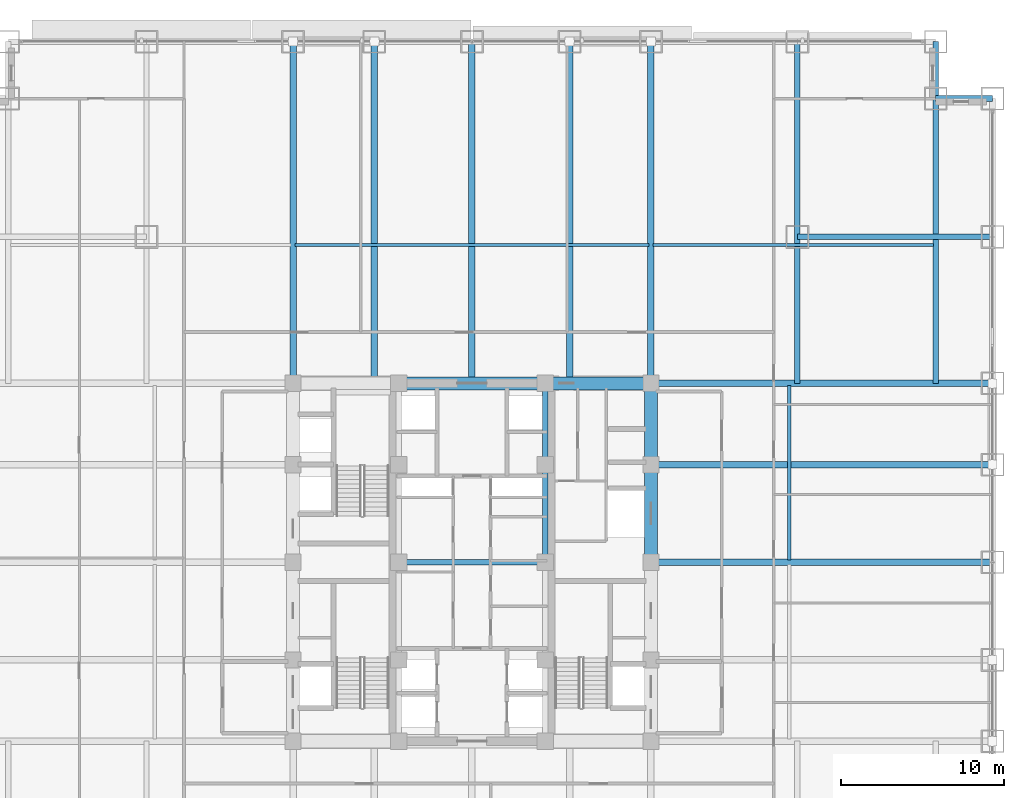
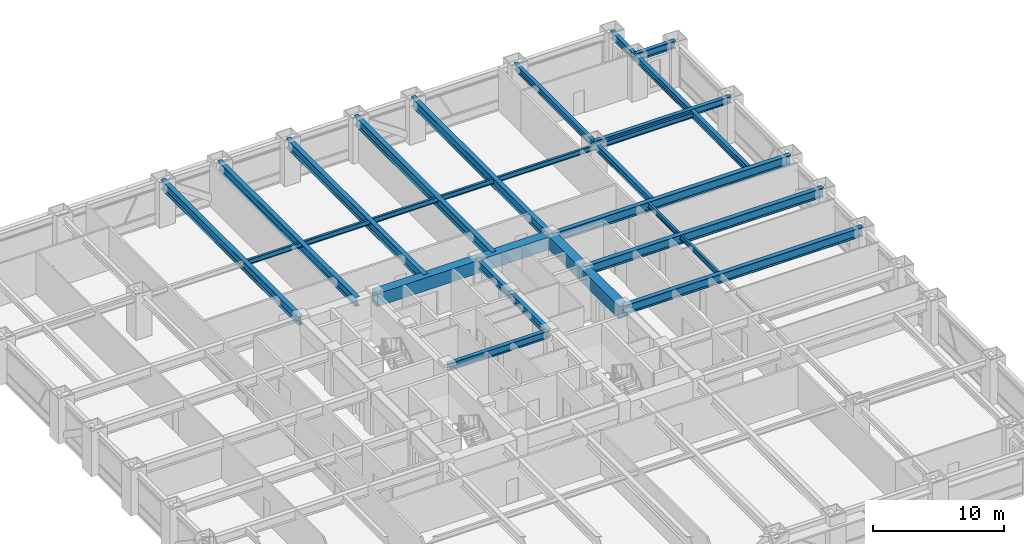
# One storey, part 11 of 32: 23 beams.
"""IFC4 building model written with IfcOpenShell, lengths in metres."""

from ifc_helpers import new_model, si_unit, direction, frame, origin, origin_2d, place, context, subcontext, project, spatial, rectangle, i_section, extrude, source, transform, mapped, material, material_profile, profile_set, type_object, element, save


model = new_model("IFC4")

# Units and contexts
model_context = context("Model", 3, precision=1e-05, world=origin(), true_north=direction((0.0, 1.0)))
body_context = subcontext(model_context, "Body", "Model", "MODEL_VIEW")
ifc_project = project(units=[si_unit("LENGTHUNIT", "METRE"), si_unit("AREAUNIT", "SQUARE_METRE"), si_unit("VOLUMEUNIT", "CUBIC_METRE"), si_unit("PLANEANGLEUNIT", "RADIAN"), si_unit("MASSUNIT", "GRAM", prefix="KILO")], contexts=[model_context])

# Site, building, storey
site_placement = place(None, origin())
site = spatial("IfcSite", under=ifc_project, at=site_placement, CompositionType="ELEMENT")
building_placement = place(site_placement, origin())
building = spatial("IfcBuilding", under=site, at=building_placement, Name="Khorayat Bourse Tower", CompositionType="ELEMENT")
storey_placement = place(building_placement, frame((0.0, 0.0, 70.39990234375)))
storey = spatial("IfcBuildingStorey", under=building, at=storey_placement, Name="L15", CompositionType="ELEMENT", Elevation=70.39990234375)

# Beams
ifc_material_1 = material(Name="Concrete C72/90", Category="concrete")
ifc_material_profile_1 = material_profile(ifc_material_1, rectangle(XDim=0.800048828125, YDim=1.199951171875, at=origin_2d()), Name="RC 800x1200")
ifc_profile_set_1 = profile_set([ifc_material_profile_1], Name="Concrete C72/90")
beam_type_1 = type_object("IfcBeamType", Name="BM-COUP-1200", PredefinedType="BEAM", material=ifc_profile_set_1)
shared_shape_1 = source(origin(), body_context, "Body", "SweptSolid", [
    extrude(rectangle(XDim=0.800048828125, YDim=1.199951171875, at=origin_2d()), origin(), (0.0, 0.0, 1.0), 5.0),
])
beam_1_placement = place(storey_placement, frame((11.0, 6.0, 3.340087890625), z_axis=(0.0, 1.0, 0.0), x_axis=(-1.0, 0.0, 0.0)))
element("IfcBeam", 1, at=beam_1_placement, inside=storey, type_object=beam_type_1, Name="L15 BM-COUP-1200 BM-L15-CRX-16", PredefinedType="BEAM", context=body_context, shape_type="MappedRepresentation", body=[
    mapped(shared_shape_1, transform((0.0, 0.0, 0.0), scale=1.0)),
])
shared_shape_2 = source(origin(), body_context, "Body", "SweptSolid", [
    extrude(rectangle(XDim=0.800048828125, YDim=1.199951171875, at=origin_2d()), origin(), (0.0, 0.0, 1.0), 6.0),
])
beam_2_placement = place(storey_placement, frame((11.0, 0.0, 3.340087890625), z_axis=(0.0, 1.0, 0.0), x_axis=(-1.0, 0.0, 0.0)))
element("IfcBeam", 2, at=beam_2_placement, inside=storey, type_object=beam_type_1, Name="L15 BM-COUP-1200 BM-L15-CRX-15", PredefinedType="BEAM", context=body_context, shape_type="MappedRepresentation", body=[
    mapped(shared_shape_2, transform((0.0, 0.0, 0.0), scale=1.0)),
])
ifc_material_2 = material(Name="Steel ASTM A992 Grade 50", Category="steel")
ifc_material_profile_2 = material_profile(ifc_material_2, i_section(OverallWidth=0.35498046875, OverallDepth=0.695068359375, WebThickness=0.015380859375, FlangeThickness=0.02490234375, FilletRadius=0.01806640625, at=origin_2d()), Name="W690X217")
ifc_profile_set_2 = profile_set([ifc_material_profile_2], Name="Steel ASTM A992 Grade 50")
beam_type_2 = type_object("IfcBeamType", Name="BM-GIRD-690", PredefinedType="BEAM", material=ifc_profile_set_2)
shared_shape_3 = source(origin(), body_context, "Body", "SweptSolid", [
    extrude(i_section(OverallWidth=0.35498046875, OverallDepth=0.695068359375, WebThickness=0.015380859375, FlangeThickness=0.02490234375, FilletRadius=0.01806640625, at=origin_2d()), origin(), (0.0, 0.0, 1.0), 5.0),
])
beam_3_placement = place(storey_placement, frame((4.5, 6.0, 3.592529296875), z_axis=(0.0, 1.0, 0.0), x_axis=(-1.0, 0.0, 0.0)))
element("IfcBeam", 3, at=beam_3_placement, inside=storey, type_object=beam_type_2, Name="L15 BM-GIRD-690 BM-L15-CRX-12", PredefinedType="BEAM", context=body_context, shape_type="MappedRepresentation", body=[
    mapped(shared_shape_3, transform((0.0, 0.0, 0.0), scale=1.0)),
])
shared_shape_4 = source(origin(), body_context, "Body", "SweptSolid", [
    extrude(i_section(OverallWidth=0.35498046875, OverallDepth=0.695068359375, WebThickness=0.015380859375, FlangeThickness=0.02490234375, FilletRadius=0.01806640625, at=origin_2d()), origin(), (0.0, 0.0, 1.0), 6.0),
])
beam_4_placement = place(storey_placement, frame((4.5, 0.0, 3.592529296875), z_axis=(0.0, 1.0, 0.0), x_axis=(-1.0, 0.0, 0.0)))
element("IfcBeam", 4, at=beam_4_placement, inside=storey, type_object=beam_type_2, Name="L15 BM-GIRD-690 BM-L15-CRX-11", PredefinedType="BEAM", context=body_context, shape_type="MappedRepresentation", body=[
    mapped(shared_shape_4, transform((0.0, 0.0, 0.0), scale=1.0)),
])
shared_shape_5 = source(origin(), body_context, "Body", "SweptSolid", [
    extrude(rectangle(XDim=0.800048828125, YDim=1.199951171875, at=origin_2d()), origin(), (0.0, 0.0, 1.0), 6.5),
])
beam_5_placement = place(storey_placement, frame((4.5, 11.0, 3.340087890625), z_axis=(1.0, 0.0, 0.0), x_axis=(0.0, 1.0, 0.0)))
element("IfcBeam", 5, at=beam_5_placement, inside=storey, type_object=beam_type_1, Name="L15 BM-COUP-1200 BM-L15-CRY-22", PredefinedType="BEAM", context=body_context, shape_type="MappedRepresentation", body=[
    mapped(shared_shape_5, transform((0.0, 0.0, 0.0), scale=1.0)),
])
shared_shape_6 = source(origin(), body_context, "Body", "SweptSolid", [
    extrude(rectangle(XDim=0.800048828125, YDim=1.199951171875, at=origin_2d()), origin(), (0.0, 0.0, 1.0), 9.0),
])
beam_6_placement = place(storey_placement, frame((-4.5, 11.0, 3.340087890625), z_axis=(1.0, 0.0, 0.0), x_axis=(0.0, 1.0, 0.0)))
element("IfcBeam", 6, at=beam_6_placement, inside=storey, type_object=beam_type_1, Name="L15 BM-COUP-1200 BM-L15-CRY-21", PredefinedType="BEAM", context=body_context, shape_type="MappedRepresentation", body=[
    mapped(shared_shape_6, transform((0.0, 0.0, 0.0), scale=1.0)),
])
shared_shape_7 = source(origin(), body_context, "Body", "SweptSolid", [
    extrude(i_section(OverallWidth=0.35498046875, OverallDepth=0.695068359375, WebThickness=0.015380859375, FlangeThickness=0.02490234375, FilletRadius=0.01806640625, at=origin_2d()), origin(), (0.0, 0.0, 1.0), 9.0),
])
beam_7_placement = place(storey_placement, frame((-4.5, 0.0, 3.592529296875), z_axis=(1.0, 0.0, 0.0), x_axis=(0.0, 1.0, 0.0)))
element("IfcBeam", 7, at=beam_7_placement, inside=storey, type_object=beam_type_2, Name="L15 BM-GIRD-690 BM-L15-CRY-23", PredefinedType="BEAM", context=body_context, shape_type="MappedRepresentation", body=[
    mapped(shared_shape_7, transform((0.0, 0.0, 0.0), scale=1.0)),
])
ifc_material_profile_3 = material_profile(ifc_material_2, i_section(OverallWidth=0.35498046875, OverallDepth=0.695068359375, WebThickness=0.015380859375, FlangeThickness=0.02490234375, FilletRadius=0.01806640625, at=origin_2d()), Name="W690X217")
ifc_profile_set_3 = profile_set([ifc_material_profile_3], Name="Steel ASTM A992 Grade 50")
beam_type_3 = type_object("IfcBeamType", Name="BM-SPAN-690", PredefinedType="SPANDREL", material=ifc_profile_set_3)
shared_shape_8 = source(origin(), body_context, "Body", "SweptSolid", [
    extrude(i_section(OverallWidth=0.35498046875, OverallDepth=0.695068359375, WebThickness=0.015380859375, FlangeThickness=0.02490234375, FilletRadius=0.01806640625, at=origin_2d()), origin(), (0.0, 0.0, 1.0), 3.5),
])
for number, where, z_axis, x_axis, name in (
    (8, (28.5, 28.5, 3.592529296875), (1.0, 0.0, 0.0), (0.0, 1.0, 0.0), "L15 BM-SPAN-690 BM-L15-SPN-042"),
    (9, (28.5, 28.5, 3.592529296875), (0.0, 1.0, 0.0), (-1.0, 0.0, 0.0), "L15 BM-SPAN-690 BM-L15-SPN-043"),
):
    element("IfcBeam", number, at=place(storey_placement, frame(where, z_axis=z_axis, x_axis=x_axis)), inside=storey, type_object=beam_type_3, Name=name, PredefinedType="SPANDREL", context=body_context, shape_type="MappedRepresentation", body=[
        mapped(shared_shape_8, transform((0.0, 0.0, 0.0), scale=1.0)),
    ])
ifc_material_profile_4 = material_profile(ifc_material_2, i_section(OverallWidth=0.39990234375, OverallDepth=0.85498046875, WebThickness=0.018310546875, FlangeThickness=0.029296875, FilletRadius=0.02001953125, at=origin_2d()), Name="W840X299")
ifc_profile_set_4 = profile_set([ifc_material_profile_4], Name="Steel ASTM A992 Grade 50")
beam_type_4 = type_object("IfcBeamType", Name="BM-GIRD-840", PredefinedType="BEAM", material=ifc_profile_set_4)
shared_shape_9 = source(origin(), body_context, "Body", "SweptSolid", [
    extrude(i_section(OverallWidth=0.39990234375, OverallDepth=0.85498046875, WebThickness=0.018310546875, FlangeThickness=0.029296875, FilletRadius=0.02001953125, at=origin_2d()), origin(), (0.0, 0.0, 1.0), 21.0),
])
for number, where, z_axis, x_axis, name in (
    (10, (-11.0, 11.0, 3.5126953125), (0.0, 1.0, 0.0), (-1.0, 0.0, 0.0), "L15 BM-GIRD-840 BM-L15-RADY-064"),
    (11, (-6.0, 11.0, 3.5126953125), (0.0, 1.0, 0.0), (-1.0, 0.0, 0.0), "L15 BM-GIRD-840 BM-L15-RADY-066"),
    (12, (0.0, 11.0, 3.5126953125), (0.0, 1.0, 0.0), (-1.0, 0.0, 0.0), "L15 BM-GIRD-840 BM-L15-RADY-068"),
    (13, (6.0, 11.0, 3.5126953125), (0.0, 1.0, 0.0), (-1.0, 0.0, 0.0), "L15 BM-GIRD-840 BM-L15-RADY-070"),
    (14, (11.0, 11.0, 3.5126953125), (0.0, 1.0, 0.0), (-1.0, 0.0, 0.0), "L15 BM-GIRD-840 BM-L15-RADY-072"),
    (15, (11.0, 0.0, 3.5126953125), (1.0, 0.0, 0.0), (0.0, 1.0, 0.0), "L15 BM-GIRD-840 BM-L15-RADX-078"),
    (16, (11.0, 6.0, 3.5126953125), (1.0, 0.0, 0.0), (0.0, 1.0, 0.0), "L15 BM-GIRD-840 BM-L15-RADX-080"),
    (17, (11.0, 11.0, 3.5126953125), (1.0, 0.0, 0.0), (0.0, 1.0, 0.0), "L15 BM-GIRD-840 BM-L15-RADX-082"),
):
    element("IfcBeam", number, at=place(storey_placement, frame(where, z_axis=z_axis, x_axis=x_axis)), inside=storey, type_object=beam_type_4, Name=name, PredefinedType="BEAM", context=body_context, shape_type="MappedRepresentation", body=[
        mapped(shared_shape_9, transform((0.0, 0.0, 0.0), scale=1.0)),
    ])
ifc_material_profile_5 = material_profile(ifc_material_2, i_section(OverallWidth=0.324951171875, OverallDepth=0.615966796875, WebThickness=0.013916015625, FlangeThickness=0.021484375, FilletRadius=0.01611328125, at=origin_2d()), Name="W610X174")
ifc_profile_set_5 = profile_set([ifc_material_profile_5], Name="Steel ASTM A992 Grade 50")
beam_type_5 = type_object("IfcBeamType", Name="BM-GIRD-610", PredefinedType="BEAM", material=ifc_profile_set_5)
shared_shape_10 = source(origin(), body_context, "Body", "SweptSolid", [
    extrude(i_section(OverallWidth=0.324951171875, OverallDepth=0.615966796875, WebThickness=0.013916015625, FlangeThickness=0.021484375, FilletRadius=0.01611328125, at=origin_2d()), origin(), (0.0, 0.0, 1.0), 21.0),
])
beam_8_placement = place(storey_placement, frame((20.0, 11.0, 3.632080078125), z_axis=(0.0, 1.0, 0.0), x_axis=(-1.0, 0.0, 0.0)))
element("IfcBeam", 18, at=beam_8_placement, inside=storey, type_object=beam_type_5, Name="L15 BM-GIRD-610 BM-L15-CNRY-087", PredefinedType="BEAM", context=body_context, shape_type="MappedRepresentation", body=[
    mapped(shared_shape_10, transform((0.0, 0.0, 0.0), scale=1.0)),
])
shared_shape_11 = source(origin(), body_context, "Body", "SweptSolid", [
    extrude(i_section(OverallWidth=0.324951171875, OverallDepth=0.615966796875, WebThickness=0.013916015625, FlangeThickness=0.021484375, FilletRadius=0.01611328125, at=origin_2d()), origin(), (0.0, 0.0, 1.0), 17.5),
])
beam_9_placement = place(storey_placement, frame((28.5, 11.0, 3.632080078125), z_axis=(0.0, 1.0, 0.0), x_axis=(-1.0, 0.0, 0.0)))
element("IfcBeam", 19, at=beam_9_placement, inside=storey, type_object=beam_type_5, Name="L15 BM-GIRD-610 BM-L15-CNRY-091", PredefinedType="BEAM", context=body_context, shape_type="MappedRepresentation", body=[
    mapped(shared_shape_11, transform((0.0, 0.0, 0.0), scale=1.0)),
])
shared_shape_12 = source(origin(), body_context, "Body", "SweptSolid", [
    extrude(i_section(OverallWidth=0.324951171875, OverallDepth=0.615966796875, WebThickness=0.013916015625, FlangeThickness=0.021484375, FilletRadius=0.01611328125, at=origin_2d()), origin(), (0.0, 0.0, 1.0), 12.0),
])
beam_10_placement = place(storey_placement, frame((20.0, 20.0, 3.632080078125), z_axis=(1.0, 0.0, 0.0), x_axis=(0.0, 1.0, 0.0)))
element("IfcBeam", 20, at=beam_10_placement, inside=storey, type_object=beam_type_5, Name="L15 BM-GIRD-610 BM-L15-CNRX-094", PredefinedType="BEAM", context=body_context, shape_type="MappedRepresentation", body=[
    mapped(shared_shape_12, transform((0.0, 0.0, 0.0), scale=1.0)),
])
ifc_material_profile_6 = material_profile(ifc_material_2, i_section(OverallWidth=0.194091796875, OverallDepth=0.468994140625, WebThickness=0.0126953125, FlangeThickness=0.0205078125, FilletRadius=0.012939453125, at=origin_2d()), Name="W460X106")
ifc_profile_set_6 = profile_set([ifc_material_profile_6], Name="Steel ASTM A992 Grade 50")
beam_type_6 = type_object("IfcBeamType", Name="BM-JOIST-460", PredefinedType="JOIST", material=ifc_profile_set_6)
shared_shape_13 = source(origin(), body_context, "Body", "SweptSolid", [
    extrude(i_section(OverallWidth=0.194091796875, OverallDepth=0.468994140625, WebThickness=0.0126953125, FlangeThickness=0.0205078125, FilletRadius=0.012939453125, at=origin_2d()), origin(), (0.0, 0.0, 1.0), 17.240234375),
])
beam_11_placement = place(storey_placement, frame((11.1298828125, 19.5, 3.70556640625), z_axis=(1.0, 0.0, 0.0), x_axis=(0.0, 1.0, 0.0)))
element("IfcBeam", 21, at=beam_11_placement, inside=storey, type_object=beam_type_6, Name="L15 BM-JOIST-460 BM-L15-JSTX-101", PredefinedType="JOIST", context=body_context, shape_type="MappedRepresentation", body=[
    mapped(shared_shape_13, transform((0.0, 0.0, 0.0), scale=1.0)),
])
shared_shape_14 = source(origin(), body_context, "Body", "SweptSolid", [
    extrude(i_section(OverallWidth=0.194091796875, OverallDepth=0.468994140625, WebThickness=0.0126953125, FlangeThickness=0.0205078125, FilletRadius=0.012939453125, at=origin_2d()), origin(), (0.0, 0.0, 1.0), 21.740234375),
])
beam_12_placement = place(storey_placement, frame((-10.8701171875, 19.5, 3.70556640625), z_axis=(1.0, 0.0, 0.0), x_axis=(0.0, 1.0, 0.0)))
element("IfcBeam", 22, at=beam_12_placement, inside=storey, type_object=beam_type_6, Name="L15 BM-JOIST-460 BM-L15-JSTX-100", PredefinedType="JOIST", context=body_context, shape_type="MappedRepresentation", body=[
    mapped(shared_shape_14, transform((0.0, 0.0, 0.0), scale=1.0)),
])
shared_shape_15 = source(origin(), body_context, "Body", "SweptSolid", [
    extrude(i_section(OverallWidth=0.194091796875, OverallDepth=0.468994140625, WebThickness=0.0126953125, FlangeThickness=0.0205078125, FilletRadius=0.012939453125, at=origin_2d()), origin(), (0.0, 0.0, 1.0), 10.740234375),
])
beam_13_placement = place(storey_placement, frame((19.5, 0.1298828125, 3.70556640625), z_axis=(0.0, 1.0, 0.0), x_axis=(-1.0, 0.0, 0.0)))
element("IfcBeam", 23, at=beam_13_placement, inside=storey, type_object=beam_type_6, Name="L15 BM-JOIST-460 BM-L15-JSTY-105", PredefinedType="JOIST", context=body_context, shape_type="MappedRepresentation", body=[
    mapped(shared_shape_15, transform((0.0, 0.0, 0.0), scale=1.0)),
])

save(model, "model.ifc")
